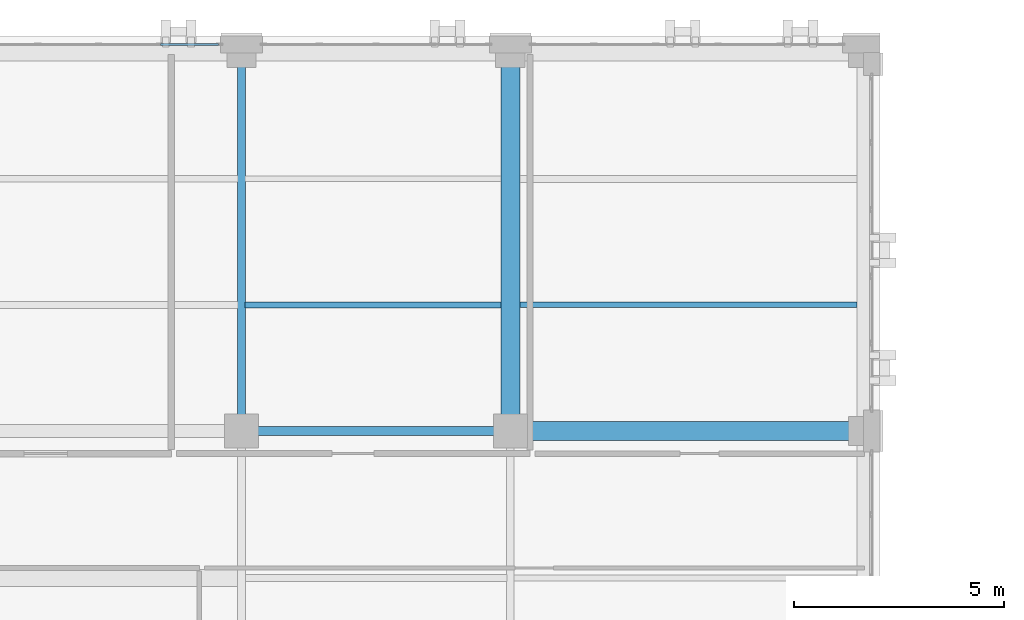
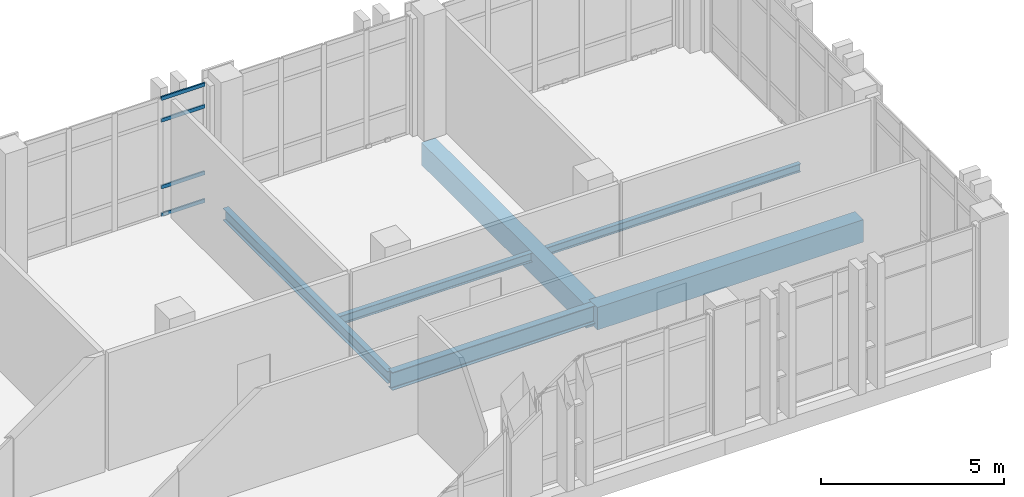
# One storey, part 94 of 158: 6 beams, 4 members, 1 element without a shape of its own.
"""IFC4 building model written with IfcOpenShell, lengths in metres."""

import ifcopenshell
import ifcopenshell.guid

model = None  # the IFC model being written
_history = None  # IfcOwnerHistory: only IFC2X3 demands one
_inside = {}  # id of a spatial element -> (the spatial element, [elements in it])
_under = {}  # id of a project, library or spatial element -> (it, [spatial elements below it])
_declared = {}  # id of a project -> (the project, [libraries it declares])
_typed = {}  # id of a type object -> (the type object, [elements of that type])
_made_of = {}  # id of a material, layer set ... -> (it, [elements and type objects made of it])


def new_model(schema):
    """Start an empty IFC model of exactly this schema.

    Asked for "IFC4X3", IfcOpenShell would pick the latest addendum, in which some entities
    have other attributes; the version numbers below select the first issue.
    IFC2X3 requires an IfcOwnerHistory on every rooted entity: one is made here for all.
    """
    global model, _history
    if schema == "IFC4X3":
        model = ifcopenshell.file(schema_version=(4, 3, 0, 0))
    else:
        model = ifcopenshell.file(schema=schema)
    _inside.clear()
    _under.clear()
    _declared.clear()
    _typed.clear()
    _made_of.clear()
    _history = None
    if model.schema == "IFC2X3":
        org = make("IfcOrganization", Name="unknown")
        user = make(
            "IfcPersonAndOrganization",
            ThePerson=make("IfcPerson", FamilyName="unknown"),
            TheOrganization=org,
        )
        app = make(
            "IfcApplication",
            ApplicationDeveloper=org,
            Version="unknown",
            ApplicationFullName="unknown",
            ApplicationIdentifier="unknown",
        )
        _history = make(
            "IfcOwnerHistory",
            OwningUser=user,
            OwningApplication=app,
            ChangeAction="ADDED",
            CreationDate=0,
        )
    return model


def make(cls, **values):
    """One entity of the class cls with the attributes given. An attribute that is None is left unset."""
    return model.create_entity(
        cls, **{name: value for name, value in values.items() if value is not None}
    )


def rooted(cls, **values):
    """An entity with a GlobalId (a new one), such as an element, a storey or a relation."""
    return make(cls, GlobalId=ifcopenshell.guid.new(), OwnerHistory=_history, **values)


def si_unit(unit_type, name, prefix=None):
    """IfcSIUnit, for example si_unit("LENGTHUNIT", "METRE", prefix="MILLI")."""
    return make("IfcSIUnit", UnitType=unit_type, Prefix=prefix, Name=name)


def assignment(units):
    """IfcUnitAssignment: the units of a project."""
    return None if units is None else make("IfcUnitAssignment", Units=units)


def point(xyz):
    """IfcCartesianPoint."""
    return None if xyz is None else make("IfcCartesianPoint", Coordinates=xyz)


def direction(xyz):
    """IfcDirection."""
    return None if xyz is None else make("IfcDirection", DirectionRatios=xyz)


def frame(location, z_axis=None, x_axis=None):
    """IfcAxis2Placement3D, a coordinate frame: its origin and axes. An axis left out is left unset."""
    return make(
        "IfcAxis2Placement3D",
        Location=point(location),
        Axis=direction(z_axis),
        RefDirection=direction(x_axis),
    )


def frame_2d(location, x_axis=None):
    """IfcAxis2Placement2D, a coordinate frame in the plane: its origin and x axis."""
    return make(
        "IfcAxis2Placement2D", Location=point(location), RefDirection=direction(x_axis)
    )


def origin():
    """The frame at (0, 0, 0) with its axes left unset."""
    return frame((0.0, 0.0, 0.0))


def origin_2d():
    """The frame at (0, 0) in the plane with its x axis left unset."""
    return frame_2d((0.0, 0.0))


def place(relative_to, where):
    """IfcLocalPlacement: puts the frame where relative to a parent placement (None: the world)."""
    return make(
        "IfcLocalPlacement", PlacementRelTo=relative_to, RelativePlacement=where
    )


def context(
    kind, dimensions, precision=None, world=None, true_north=None, identifier=None
):
    """IfcGeometricRepresentationContext, for example the 3D "Model" context."""
    return make(
        "IfcGeometricRepresentationContext",
        ContextIdentifier=identifier,
        ContextType=kind,
        CoordinateSpaceDimension=dimensions,
        Precision=precision,
        WorldCoordinateSystem=world,
        TrueNorth=true_north,
    )


def subcontext(parent, identifier, kind, view, scale=None):
    """IfcGeometricRepresentationSubContext, for example "Body" below "Model"."""
    return make(
        "IfcGeometricRepresentationSubContext",
        ContextIdentifier=identifier,
        ContextType=kind,
        ParentContext=parent,
        TargetScale=scale,
        TargetView=view,
    )


def project(units=None, contexts=None):
    """IfcProject with its units and contexts."""
    return rooted(
        "IfcProject",
        Name="project",
        RepresentationContexts=contexts,
        UnitsInContext=assignment(units),
    )


def spatial(cls, under=None, at=None, **own):
    """A site, building, storey or space (cls), placed at a placement, below another one or the project."""
    s = rooted(cls, ObjectPlacement=at, **own)
    if under is not None:
        _under.setdefault(under.id(), (under, []))[1].append(s)
    return s


def profile(cls, at=None, kind="AREA", **sizes):
    """A parametric profile (cls). Its sizes go by their IFC names, for example OverallWidth=200.0."""
    return make(cls, ProfileType=kind, Position=at, **sizes)


def rectangle(**sizes):
    """IfcRectangleProfileDef."""
    return profile("IfcRectangleProfileDef", **sizes)


def hollow_rectangle(**sizes):
    """IfcRectangleHollowProfileDef."""
    return profile("IfcRectangleHollowProfileDef", **sizes)


def i_section(**sizes):
    """IfcIShapeProfileDef."""
    return profile("IfcIShapeProfileDef", **sizes)


def extrude(swept, where, along, depth):
    """IfcExtrudedAreaSolid: the profile swept, set in the frame where, extruded along a direction by depth."""
    return make(
        "IfcExtrudedAreaSolid",
        SweptArea=swept,
        Position=where,
        ExtrudedDirection=direction(along),
        Depth=depth,
    )


def shape(context_of_items, identifier, shape_type, items):
    """IfcShapeRepresentation: the items that make up one representation, for example the "Body"."""
    return make(
        "IfcShapeRepresentation",
        ContextOfItems=context_of_items,
        RepresentationIdentifier=identifier,
        RepresentationType=shape_type,
        Items=items,
    )


def material(Name=None, Category=None):
    """IfcMaterial."""
    return make("IfcMaterial", Name=Name, Category=Category)


def layer(
    of_material, thickness, ventilated=None, Name=None, Category=None, Priority=None
):
    """IfcMaterialLayer: one layer of a wall or slab, of a material (None: an air gap)."""
    return make(
        "IfcMaterialLayer",
        Material=of_material,
        LayerThickness=thickness,
        IsVentilated=ventilated,
        Name=Name,
        Category=Category,
        Priority=Priority,
    )


def layer_set(layers, Name=None):
    """IfcMaterialLayerSet."""
    return make("IfcMaterialLayerSet", MaterialLayers=layers, LayerSetName=Name)


def material_profile(
    of_material, cross_section, Name=None, Category=None, Priority=None
):
    """IfcMaterialProfile: a cross section and its material."""
    return make(
        "IfcMaterialProfile",
        Name=Name,
        Material=of_material,
        Profile=cross_section,
        Priority=Priority,
        Category=Category,
    )


def profile_set(profiles, Name=None, composite=None):
    """IfcMaterialProfileSet."""
    return make(
        "IfcMaterialProfileSet",
        Name=Name,
        MaterialProfiles=profiles,
        CompositeProfile=composite,
    )


def made_of(thing, what):
    """Note that an element or type object is made of a material, layer set ...; save() writes the relation."""
    if what is not None:
        _made_of.setdefault(what.id(), (what, []))[1].append(thing)
    return thing


def type_object(cls, material=None, **own):
    """A type object (cls), such as IfcWallType, which elements share."""
    return made_of(rooted(cls, **own), material)


def element(
    cls,
    number,
    at=None,
    inside=None,
    cuts=None,
    type_object=None,
    material=None,
    context=None,
    identifier="Body",
    shape_type=None,
    held_by="IfcProductDefinitionShape",
    body=None,
    shapes=None,
    **own,
):
    """One element of the class cls, such as IfcWall. Its Tag is "e" and its number.

    at: its placement. inside: the storey or other place that contains it. cuts: it is an
    opening in that element (IfcRelVoidsElement). A single representation is given by context,
    identifier, shape_type and body (its items); several are given by shapes. held_by: the class
    of the entity that holds the representations. save() writes the other relations.
    """
    e = rooted(cls, Tag="e%d" % number, ObjectPlacement=at, **own)
    if body is not None:
        shapes = [shape(context, identifier, shape_type, body)]
    if shapes is not None:
        e.Representation = make(held_by, Representations=shapes)
    if inside is not None:
        _inside.setdefault(inside.id(), (inside, []))[1].append(e)
    if cuts is not None:
        rooted(
            "IfcRelVoidsElement", RelatingBuildingElement=cuts, RelatedOpeningElement=e
        )
    if type_object is not None:
        _typed.setdefault(type_object.id(), (type_object, []))[1].append(e)
    return made_of(e, material)


def aggregate(whole, parts):
    """IfcRelAggregates: a whole, such as a stair, and the parts it consists of."""
    return rooted("IfcRelAggregates", RelatingObject=whole, RelatedObjects=parts)


def save(model, path):
    """Write the relations noted so far, then the file.

    IfcRelAggregates (storeys below a building ...), IfcRelContainedInSpatialStructure (elements
    in a storey), IfcRelDefinesByType, IfcRelAssociatesMaterial and IfcRelDeclares: one each for
    every whole, place, type object, material and project.
    """
    for whole, parts in _under.values():
        aggregate(whole, parts)
    for where, things in _inside.values():
        rooted(
            "IfcRelContainedInSpatialStructure",
            RelatedElements=things,
            RelatingStructure=where,
        )
    for kind, things in _typed.values():
        rooted("IfcRelDefinesByType", RelatedObjects=things, RelatingType=kind)
    for what, things in _made_of.values():
        rooted("IfcRelAssociatesMaterial", RelatedObjects=things, RelatingMaterial=what)
    for by, libraries in _declared.values():
        rooted("IfcRelDeclares", RelatingContext=by, RelatedDefinitions=libraries)
    model.write(path)


model = new_model("IFC4")

# Units and contexts
model_context = context("Model", 3, precision=1e-05, world=origin(), true_north=direction((0.0, 1.0)))
body_context = subcontext(model_context, "Body", "Model", "MODEL_VIEW")
ifc_project = project(units=[si_unit("LENGTHUNIT", "METRE"), si_unit("AREAUNIT", "SQUARE_METRE"), si_unit("VOLUMEUNIT", "CUBIC_METRE"), si_unit("PLANEANGLEUNIT", "RADIAN"), si_unit("MASSUNIT", "GRAM", prefix="KILO")], contexts=[model_context])

# Site, building, storey
site_placement = place(None, origin())
site = spatial("IfcSite", under=ifc_project, at=site_placement, CompositionType="ELEMENT")
building_placement = place(site_placement, origin())
building = spatial("IfcBuilding", under=site, at=building_placement, Name="Qalavern Law Courts", CompositionType="ELEMENT")
storey_placement = place(building_placement, frame((0.0, 0.0, 18.60009765625)))
storey = spatial("IfcBuildingStorey", under=building, at=storey_placement, Name="L04", CompositionType="ELEMENT", Elevation=18.60009765625)

# Curtain wall, members
ifc_material_1 = material(Name="Anodised aluminium and insulated glazing", Category="aluminium")
ifc_layer = layer(ifc_material_1, 0.166015625)
ifc_layer_set = layer_set([ifc_layer], Name="Anodised aluminium and insulated glazing")
curtain_wall_type = type_object("IfcCurtainWallType", Name="ENV-CW-LIB", PredefinedType="USERDEFINED", material=ifc_layer_set)
curtain_wall_placement = place(storey_placement, origin())
curtain_wall = element("IfcCurtainWall", 1, at=curtain_wall_placement, inside=storey, type_object=curtain_wall_type, Name="V5 unitised curtain wall L04 north 3", ObjectType="UNITISED CURTAIN WALL", PredefinedType="USERDEFINED")
ifc_material_2 = material(Name="Anodised aluminium", Category="aluminium")
ifc_material_profile_1 = material_profile(ifc_material_2, hollow_rectangle(XDim=0.048095703125, YDim=0.1201171875, WallThickness=0.00390625, at=origin_2d()), Name="ALU TRANSOM 48x120")
ifc_profile_set_1 = profile_set([ifc_material_profile_1], Name="Anodised aluminium")
member_type = type_object("IfcMemberType", Name="ENV-CWT-48x120", PredefinedType="USERDEFINED", material=ifc_profile_set_1)
member_1_placement = place(storey_placement, frame((51.052001953125, 112.800048828125, 0.02392578125), z_axis=(-1.0, 0.0, 0.0), x_axis=(0.0, -1.0, 0.0)))
member_1 = element("IfcMember", 2, at=member_1_placement, type_object=member_type, Name="CW-05 transom 1.1", ObjectType="TRANSOM", PredefinedType="USERDEFINED", context=body_context, shape_type="SweptSolid", body=[
    extrude(hollow_rectangle(XDim=0.048095703125, YDim=0.1201171875, WallThickness=0.00390625, at=origin_2d()), origin(), (0.0, 0.0, 1.0), 1.3779296875),
])
member_2_placement = place(storey_placement, frame((51.052001953125, 112.800048828125, 0.949951171875), z_axis=(-1.0, 0.0, 0.0), x_axis=(0.0, -1.0, 0.0)))
member_2 = element("IfcMember", 3, at=member_2_placement, type_object=member_type, Name="CW-05 transom 1.2", ObjectType="TRANSOM", PredefinedType="USERDEFINED", context=body_context, shape_type="SweptSolid", body=[
    extrude(hollow_rectangle(XDim=0.048095703125, YDim=0.1201171875, WallThickness=0.00390625, at=origin_2d()), origin(), (0.0, 0.0, 1.0), 1.3779296875),
])
member_3_placement = place(storey_placement, frame((51.052001953125, 112.800048828125, 3.1748046875), z_axis=(-1.0, 0.0, 0.0), x_axis=(0.0, -1.0, 0.0)))
member_3 = element("IfcMember", 4, at=member_3_placement, type_object=member_type, Name="CW-05 transom 1.3", ObjectType="TRANSOM", PredefinedType="USERDEFINED", context=body_context, shape_type="SweptSolid", body=[
    extrude(hollow_rectangle(XDim=0.048095703125, YDim=0.1201171875, WallThickness=0.00390625, at=origin_2d()), origin(), (0.0, 0.0, 1.0), 1.3779296875),
])
member_4_placement = place(storey_placement, frame((51.052001953125, 112.800048828125, 3.90087890625), z_axis=(-1.0, 0.0, 0.0), x_axis=(0.0, -1.0, 0.0)))
member_4 = element("IfcMember", 5, at=member_4_placement, type_object=member_type, Name="CW-05 transom 1.4", ObjectType="TRANSOM", PredefinedType="USERDEFINED", context=body_context, shape_type="SweptSolid", body=[
    extrude(hollow_rectangle(XDim=0.048095703125, YDim=0.1201171875, WallThickness=0.00390625, at=origin_2d()), origin(), (0.0, 0.0, 1.0), 1.3779296875),
])
aggregate(curtain_wall, [member_1, member_2, member_3, member_4])

# Beams
ifc_material_3 = material(Name="Steel S355", Category="steel")
ifc_material_profile_2 = material_profile(ifc_material_3, i_section(OverallWidth=0.179931640625, OverallDepth=0.39990234375, WebThickness=0.008544921875, FlangeThickness=0.013427734375, FilletRadius=0.02099609375, at=origin_2d()), Name="IPE 400")
ifc_profile_set_2 = profile_set([ifc_material_profile_2], Name="Steel S355")
beam_type_1 = type_object("IfcBeamType", Name="STR-BM-IPE400", PredefinedType="BEAM", material=ifc_profile_set_2)
beam_1_placement = place(storey_placement, frame((51.60009765625, 103.60009765625, -0.47998046875), z_axis=(0.0, 1.0, 0.0), x_axis=(-1.0, 0.0, 0.0)))
element("IfcBeam", 6, at=beam_1_placement, inside=storey, type_object=beam_type_1, Name="V5 Y-beam 7-2 L04", PredefinedType="BEAM", context=body_context, shape_type="SweptSolid", body=[
    extrude(i_section(OverallWidth=0.179931640625, OverallDepth=0.39990234375, WebThickness=0.008544921875, FlangeThickness=0.013427734375, FilletRadius=0.02099609375, at=origin_2d()), origin(), (0.0, 0.0, 1.0), 9.0),
])
ifc_material_profile_3 = material_profile(ifc_material_3, i_section(OverallWidth=0.219970703125, OverallDepth=0.60009765625, WebThickness=0.011962890625, FlangeThickness=0.01904296875, FilletRadius=0.02392578125, at=origin_2d()), Name="IPE 600")
ifc_profile_set_3 = profile_set([ifc_material_profile_3], Name="Steel S355")
beam_type_2 = type_object("IfcBeamType", Name="STR-BM-IPE600", PredefinedType="BEAM", material=ifc_profile_set_3)
beam_2_placement = place(storey_placement, frame((51.60009765625, 103.60009765625, -0.580078125), z_axis=(1.0, 0.0, 0.0), x_axis=(0.0, 1.0, 0.0)))
element("IfcBeam", 7, at=beam_2_placement, inside=storey, type_object=beam_type_2, Name="V5 X-beam 2-7 L04", PredefinedType="BEAM", context=body_context, shape_type="SweptSolid", body=[
    extrude(i_section(OverallWidth=0.219970703125, OverallDepth=0.60009765625, WebThickness=0.011962890625, FlangeThickness=0.01904296875, FilletRadius=0.02392578125, at=origin_2d()), origin(), (0.0, 0.0, 1.0), 6.39990234375),
])
ifc_material_4 = material(Name="Concrete C40/50", Category="concrete")
ifc_material_profile_4 = material_profile(ifc_material_4, rectangle(XDim=0.449951171875, YDim=0.75, at=origin_2d()), Name="RC 450x750")
ifc_profile_set_4 = profile_set([ifc_material_profile_4], Name="Concrete C40/50")
beam_type_3 = type_object("IfcBeamType", Name="STR-BM-RC450x750", PredefinedType="BEAM", material=ifc_profile_set_4)
beam_3_placement = place(storey_placement, frame((58.0, 103.60009765625, -0.655029296875), z_axis=(1.0, 0.0, 0.0), x_axis=(0.0, 1.0, 0.0)))
element("IfcBeam", 8, at=beam_3_placement, inside=storey, type_object=beam_type_3, Name="V5 X-beam 2-8 L04", PredefinedType="BEAM", context=body_context, shape_type="SweptSolid", body=[
    extrude(rectangle(XDim=0.449951171875, YDim=0.75, at=origin_2d()), origin(), (0.0, 0.0, 1.0), 8.39990234375),
])
beam_4_placement = place(storey_placement, frame((58.0, 103.60009765625, -0.655029296875), z_axis=(0.0, 1.0, 0.0), x_axis=(-1.0, 0.0, 0.0)))
element("IfcBeam", 9, at=beam_4_placement, inside=storey, type_object=beam_type_3, Name="V5 Y-beam 8-2 L04", PredefinedType="BEAM", context=body_context, shape_type="SweptSolid", body=[
    extrude(rectangle(XDim=0.449951171875, YDim=0.75, at=origin_2d()), origin(), (0.0, 0.0, 1.0), 9.0),
])
ifc_material_profile_5 = material_profile(ifc_material_3, i_section(OverallWidth=0.135009765625, OverallDepth=0.27001953125, WebThickness=0.006591796875, FlangeThickness=0.01025390625, FilletRadius=0.014892578125, at=origin_2d()), Name="IPE 270")
ifc_profile_set_5 = profile_set([ifc_material_profile_5], Name="Steel S355")
beam_type_4 = type_object("IfcBeamType", Name="STR-JST-IPE270", PredefinedType="JOIST", material=ifc_profile_set_5)
beam_5_placement = place(storey_placement, frame((58.222900390625, 106.60009765625, -0.4150390625), z_axis=(1.0, 0.0, 0.0), x_axis=(0.0, 1.0, 0.0)))
element("IfcBeam", 10, at=beam_5_placement, inside=storey, type_object=beam_type_4, Name="V5 secondary joist 8.2.1 L04", PredefinedType="JOIST", context=body_context, shape_type="SweptSolid", body=[
    extrude(i_section(OverallWidth=0.135009765625, OverallDepth=0.27001953125, WebThickness=0.006591796875, FlangeThickness=0.01025390625, FilletRadius=0.014892578125, at=origin_2d()), origin(), (0.0, 0.0, 1.0), 8.029052734375),
])
ifc_material_profile_6 = material_profile(ifc_material_3, i_section(OverallWidth=0.14990234375, OverallDepth=0.300048828125, WebThickness=0.007080078125, FlangeThickness=0.0107421875, FilletRadius=0.014892578125, at=origin_2d()), Name="IPE 300")
ifc_profile_set_6 = profile_set([ifc_material_profile_6], Name="Steel S355")
beam_type_5 = type_object("IfcBeamType", Name="STR-JST-IPE300", PredefinedType="JOIST", material=ifc_profile_set_6)
beam_6_placement = place(storey_placement, frame((51.68798828125, 106.60009765625, -0.43017578125), z_axis=(1.0, 0.0, 0.0), x_axis=(0.0, 1.0, 0.0)))
element("IfcBeam", 11, at=beam_6_placement, inside=storey, type_object=beam_type_5, Name="V5 secondary joist 7.2.1 L04", PredefinedType="JOIST", context=body_context, shape_type="SweptSolid", body=[
    extrude(i_section(OverallWidth=0.14990234375, OverallDepth=0.300048828125, WebThickness=0.007080078125, FlangeThickness=0.0107421875, FilletRadius=0.014892578125, at=origin_2d()), origin(), (0.0, 0.0, 1.0), 6.089111328125),
])

save(model, "model.ifc")
